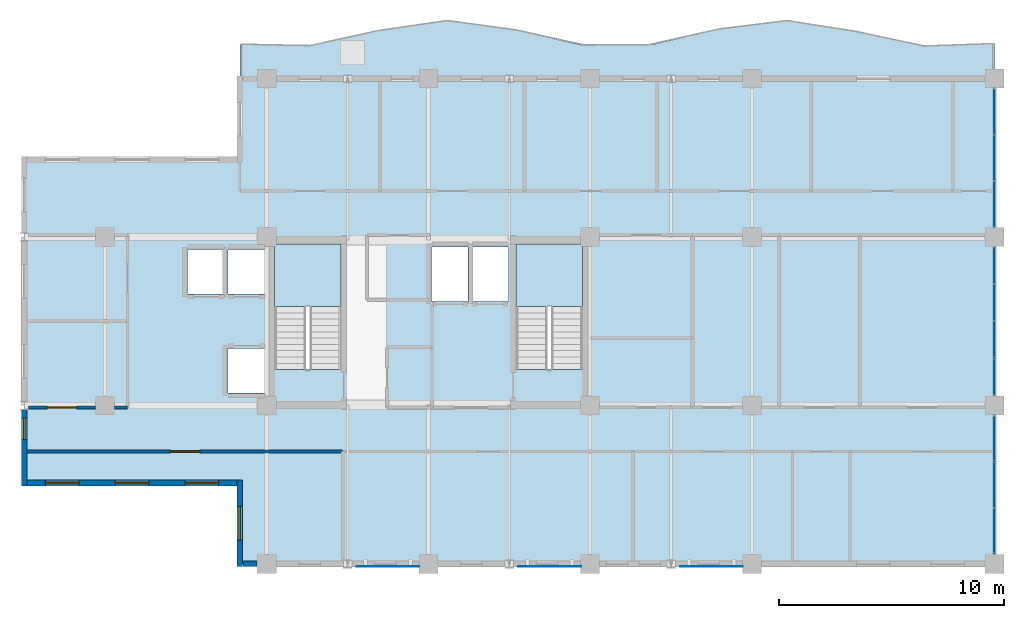
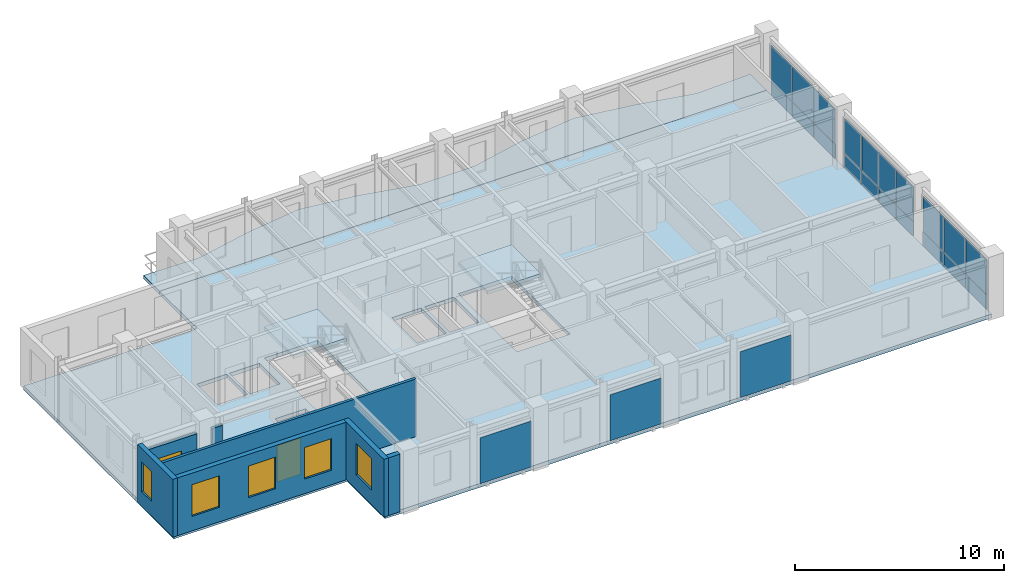
# One storey, part 5 of 10: 23 plates, 7 walls, 5 windows, 4 slabs, 2 doors, 7 openings, 5 elements without a shape of their own.
"""IFC4 building model written with IfcOpenShell, lengths in metres."""

from ifc_helpers import new_model, si_unit, direction, frame, frame_2d, origin, origin_2d, place, context, subcontext, project, spatial, polyline, rectangle, outline, extrude, source, transform, mapped, material, layer, layer_set, type_object, element, fill, aggregate, save


model = new_model("IFC4")

# Units and contexts
model_context = context("Model", 3, precision=1e-05, world=origin(), true_north=direction((0.0, 1.0)))
body_context = subcontext(model_context, "Body", "Model", "MODEL_VIEW")
ifc_project = project(units=[si_unit("LENGTHUNIT", "METRE"), si_unit("AREAUNIT", "SQUARE_METRE"), si_unit("VOLUMEUNIT", "CUBIC_METRE"), si_unit("PLANEANGLEUNIT", "RADIAN"), si_unit("MASSUNIT", "GRAM", prefix="KILO")], contexts=[model_context])

# Site, building, storey
site_placement = place(None, origin())
site = spatial("IfcSite", under=ifc_project, at=site_placement, CompositionType="ELEMENT")
building_placement = place(site_placement, origin())
building = spatial("IfcBuilding", under=site, at=building_placement, Name="Kaliganga Portal Commons", CompositionType="ELEMENT")
storey_placement = place(building_placement, frame((0.0, 0.0, 294.300048828125)))
storey = spatial("IfcBuildingStorey", under=building, at=storey_placement, Name="L76", CompositionType="ELEMENT", Elevation=294.300048828125)

# Slab
ifc_material_1 = material(Name="Concrete C40/50", Category="concrete")
ifc_layer_1 = layer(ifc_material_1, 0.2099609375)
ifc_layer_set_1 = layer_set([ifc_layer_1], Name="Concrete C40/50")
slab_type_1 = type_object("IfcSlabType", Name="SLB-BALC-210", PredefinedType="FLOOR", material=ifc_layer_set_1)
slab_1_placement = place(storey_placement, frame((0.0, 0.0, -0.2099609375)))
element("IfcSlab", 1, at=slab_1_placement, inside=storey, type_object=slab_type_1, Name="Scalloped Tree-Planter Balcony Slab L76 balc_north", PredefinedType="FLOOR", context=body_context, shape_type="SweptSolid", body=[
    extrude(outline(polyline([(46.800048828125, 43.199951171875), (46.800048828125, 44.760498046875), (43.74560546875, 44.65478515625), (40.69091796875, 45.313720703125), (37.636474609375, 45.797607421875), (34.581787109375, 45.416748046875), (31.52734375, 44.714111328125), (28.47265625, 44.69140625), (25.418212890625, 45.380859375), (22.363525390625, 45.7998046875), (19.30908203125, 45.350830078125), (16.25439453125, 44.674072265625), (13.199951171875, 44.734130859375), (13.199951171875, 43.199951171875), (46.800048828125, 43.199951171875)])), origin(), (0.0, 0.0, 1.0), 0.2099609375),
])

# Stair, slab
stair_type = type_object("IfcStairType", Name="ST-CORE-DOGLEG", PredefinedType="HALF_TURN_STAIR", material=ifc_material_1)
stair_1_placement = place(storey_placement, origin())
stair_1 = element("IfcStair", 2, at=stair_1_placement, inside=storey, type_object=stair_type, Name="L76 Protected Exit Stair ST-A1", PredefinedType="HALF_TURN_STAIR")
ifc_layer_2 = layer(ifc_material_1, 0.199951171875)
ifc_layer_set_2 = layer_set([ifc_layer_2], Name="Concrete C40/50")
slab_type_2 = type_object("IfcSlabType", Name="SLB-STAIR-LND", PredefinedType="LANDING", material=ifc_layer_set_2)
slab_2_placement = place(storey_placement, frame((0.0, 0.0, 1.64990234375)))
slab_2 = element("IfcSlab", 3, at=slab_2_placement, type_object=slab_type_2, Name="ST-A1 landing 1", PredefinedType="LANDING", context=body_context, shape_type="SweptSolid", body=[
    extrude(outline(polyline([(17.699951171875, 33.050048828125), (17.699951171875, 35.85009765625), (14.75, 35.85009765625), (14.75, 33.050048828125), (17.699951171875, 33.050048828125)])), origin(), (0.0, 0.0, 1.0), 0.199951171875),
])
aggregate(stair_1, [slab_2])

stair_2_placement = place(storey_placement, origin())
stair_2 = element("IfcStair", 4, at=stair_2_placement, inside=storey, type_object=stair_type, Name="L76 Protected Exit Stair ST-A2", PredefinedType="HALF_TURN_STAIR")
slab_3_placement = place(storey_placement, frame((0.0, 0.0, 1.64990234375)))
slab_3 = element("IfcSlab", 5, at=slab_3_placement, type_object=slab_type_2, Name="ST-A2 landing 1", PredefinedType="LANDING", context=body_context, shape_type="SweptSolid", body=[
    extrude(outline(polyline([(28.449951171875, 33.050048828125), (28.449951171875, 35.85009765625), (25.5, 35.85009765625), (25.5, 33.050048828125), (28.449951171875, 33.050048828125)])), origin(), (0.0, 0.0, 1.0), 0.199951171875),
])
aggregate(stair_2, [slab_3])

# Slab
ifc_layer_3 = layer(ifc_material_1, 0.22509765625)
ifc_layer_set_3 = layer_set([ifc_layer_3], Name="Concrete C40/50")
slab_type_3 = type_object("IfcSlabType", Name="SLB-TWR-220", PredefinedType="FLOOR", material=ifc_layer_set_3)
slab_4_placement = place(storey_placement, frame((0.0, 0.0, -0.22509765625)))
element("IfcSlab", 6, at=slab_4_placement, inside=storey, type_object=slab_type_3, Name="Structural Floor Slab L76", PredefinedType="FLOOR", context=body_context, shape_type="SweptSolid", body=[
    extrude(outline(polyline([(13.199951171875, 21.60009765625), (46.800048828125, 21.60009765625), (46.800048828125, 43.199951171875), (13.199951171875, 43.199951171875), (13.199951171875, 39.60009765625), (3.60009765625, 39.60009765625), (3.60009765625, 25.199951171875), (13.199951171875, 25.199951171875), (13.199951171875, 21.60009765625)]), holes=[polyline([(14.75, 30.25390625), (14.75, 35.85009765625), (17.699951171875, 35.85009765625), (17.699951171875, 30.25390625), (14.75, 30.25390625)]), polyline([(25.5, 30.25390625), (25.5, 35.85009765625), (28.449951171875, 35.85009765625), (28.449951171875, 30.25390625), (25.5, 30.25390625)]), polyline([(12.6650390625, 33.614990234375), (12.6650390625, 35.5849609375), (14.3349609375, 35.5849609375), (14.3349609375, 33.614990234375), (12.6650390625, 33.614990234375)]), polyline([(12.6650390625, 29.215087890625), (12.6650390625, 31.18505859375), (14.3349609375, 31.18505859375), (14.3349609375, 29.215087890625), (12.6650390625, 29.215087890625)]), polyline([(10.864990234375, 33.614990234375), (10.864990234375, 35.5849609375), (12.534912109375, 35.5849609375), (12.534912109375, 33.614990234375), (10.864990234375, 33.614990234375)]), polyline([(21.739990234375, 33.2900390625), (21.739990234375, 35.7099609375), (23.360107421875, 35.7099609375), (23.360107421875, 33.2900390625), (21.739990234375, 33.2900390625)]), polyline([(23.5400390625, 33.2900390625), (23.5400390625, 35.7099609375), (25.159912109375, 35.7099609375), (25.159912109375, 33.2900390625), (23.5400390625, 33.2900390625)])]), origin(), (0.0, 0.0, 1.0), 0.22509765625),
])

# Plates
ifc_material_2 = material(Name="Perforated Bronze-Anodized Aluminium Solar Screen", Category="aluminium")
ifc_layer_4 = layer(ifc_material_2, 0.01806640625)
ifc_layer_set_4 = layer_set([ifc_layer_4], Name="Perforated Bronze-Anodized Aluminium Solar Screen")
plate_type_1 = type_object("IfcPlateType", Name="PLT-SCR-18", PredefinedType="USERDEFINED", material=ifc_layer_set_4)
shared_shape_1 = source(origin(), body_context, "Body", "SweptSolid", [
    extrude(rectangle(XDim=2.800048828125, YDim=0.01806640625, at=origin_2d()), origin(), (0.0, 0.0, 1.0), 2.68994140625),
])
for number, where, z_axis, x_axis, name in (
    (7, (19.800048828125, 21.47998046875, 0.080078125), (0.0, 0.0, 1.0), (1.0, 0.0, 0.0), "Perforated Solar Screen L76-S1"),
    (8, (27.0, 21.47998046875, 0.080078125), (0.0, 0.0, 1.0), (1.0, 0.0, 0.0), "Perforated Solar Screen L76-S2"),
    (9, (34.199951171875, 21.47998046875, 0.080078125), (0.0, 0.0, 1.0), (1.0, 0.0, 0.0), "Perforated Solar Screen L76-S3"),
):
    element("IfcPlate", number, at=place(storey_placement, frame(where, z_axis=z_axis, x_axis=x_axis)), inside=storey, type_object=plate_type_1, Name=name, ObjectType="SOLAR SCREEN", PredefinedType="USERDEFINED", context=body_context, shape_type="MappedRepresentation", body=[
        mapped(shared_shape_1, transform((0.0, 0.0, 0.0), x_axis=(1.0, 0.0, 0.0), y_axis=(0.0, 1.0, 0.0), z_axis=(0.0, 0.0, 1.0), scale=1.0)),
    ])

# Curtain wall, plates
ifc_material_3 = material(Name="Anodized Aluminium and Laminated Low-E Glass", Category="aluminium")
ifc_layer_5 = layer(ifc_material_3, 0.18994140625)
ifc_layer_set_5 = layer_set([ifc_layer_5], Name="Anodized Aluminium and Laminated Low-E Glass")
curtain_wall_type = type_object("IfcCurtainWallType", Name="CW-SYS-05", PredefinedType="NOTDEFINED", material=ifc_layer_set_5)
curtain_wall_1_placement = place(storey_placement, origin())
curtain_wall_1 = element("IfcCurtainWall", 10, at=curtain_wall_1_placement, inside=storey, type_object=curtain_wall_type, Name="CW 05 L76 P1E01S1", PredefinedType="NOTDEFINED")
ifc_material_4 = material(Name="Insulated Dark Spandrel Panel", Category="metal")
ifc_layer_6 = layer(ifc_material_4, 0.044921875)
ifc_layer_set_6 = layer_set([ifc_layer_6], Name="Insulated Dark Spandrel Panel")
plate_type_2 = type_object("IfcPlateType", Name="PLT-SPN-45", PredefinedType="SHEET", material=ifc_layer_set_6)
shared_shape_2 = source(origin(), body_context, "Body", "SweptSolid", [
    extrude(rectangle(XDim=2.02587890625, YDim=0.044921875, at=origin_2d()), origin(), (0.0, 0.0, 1.0), 0.820068359375),
])
plate_1_placement = place(storey_placement, frame((46.800048828125, 23.05908203125, 0.009765625), z_axis=(0.0, 0.0, 1.0), x_axis=(0.0, 1.0, 0.0)))
plate_1 = element("IfcPlate", 11, at=plate_1_placement, type_object=plate_type_2, Name="CW:05:L76:P1E01S1 Spandrel 00", PredefinedType="SHEET", context=body_context, shape_type="MappedRepresentation", body=[
    mapped(shared_shape_2, transform((0.0, 0.0, 0.0), x_axis=(1.0, 0.0, 0.0), y_axis=(0.0, 1.0, 0.0), z_axis=(0.0, 0.0, 1.0), scale=1.0)),
])
plate_2_placement = place(storey_placement, frame((46.800048828125, 25.125, 0.009765625), z_axis=(0.0, 0.0, 1.0), x_axis=(0.0, 1.0, 0.0)))
plate_2 = element("IfcPlate", 12, at=plate_2_placement, type_object=plate_type_2, Name="CW:05:L76:P1E01S1 Spandrel 01", PredefinedType="SHEET", context=body_context, shape_type="MappedRepresentation", body=[
    mapped(shared_shape_2, transform((0.0, 0.0, 0.0), x_axis=(1.0, 0.0, 0.0), y_axis=(0.0, 1.0, 0.0), z_axis=(0.0, 0.0, 1.0), scale=1.0)),
])
plate_3_placement = place(storey_placement, frame((46.800048828125, 27.19091796875, 0.009765625), z_axis=(0.0, 0.0, 1.0), x_axis=(0.0, 1.0, 0.0)))
plate_3 = element("IfcPlate", 13, at=plate_3_placement, type_object=plate_type_2, Name="CW:05:L76:P1E01S1 Spandrel 02", PredefinedType="SHEET", context=body_context, shape_type="MappedRepresentation", body=[
    mapped(shared_shape_2, transform((0.0, 0.0, 0.0), x_axis=(1.0, 0.0, 0.0), y_axis=(0.0, 1.0, 0.0), z_axis=(0.0, 0.0, 1.0), scale=1.0)),
])

curtain_wall_2_placement = place(storey_placement, origin())
curtain_wall_2 = element("IfcCurtainWall", 14, at=curtain_wall_2_placement, inside=storey, type_object=curtain_wall_type, Name="CW 05 L76 P1E01S3", PredefinedType="NOTDEFINED")
plate_4_placement = place(storey_placement, frame((46.800048828125, 37.60888671875, 0.009765625), z_axis=(0.0, 0.0, 1.0), x_axis=(0.0, 1.0, 0.0)))
plate_4 = element("IfcPlate", 15, at=plate_4_placement, type_object=plate_type_2, Name="CW:05:L76:P1E01S3 Spandrel 00", PredefinedType="SHEET", context=body_context, shape_type="MappedRepresentation", body=[
    mapped(shared_shape_2, transform((0.0, 0.0, 0.0), x_axis=(1.0, 0.0, 0.0), y_axis=(0.0, 1.0, 0.0), z_axis=(0.0, 0.0, 1.0), scale=1.0)),
])
plate_5_placement = place(storey_placement, frame((46.800048828125, 39.675048828125, 0.009765625), z_axis=(0.0, 0.0, 1.0), x_axis=(0.0, 1.0, 0.0)))
plate_5 = element("IfcPlate", 16, at=plate_5_placement, type_object=plate_type_2, Name="CW:05:L76:P1E01S3 Spandrel 01", PredefinedType="SHEET", context=body_context, shape_type="MappedRepresentation", body=[
    mapped(shared_shape_2, transform((0.0, 0.0, 0.0), x_axis=(1.0, 0.0, 0.0), y_axis=(0.0, 1.0, 0.0), z_axis=(0.0, 0.0, 1.0), scale=1.0)),
])
plate_6_placement = place(storey_placement, frame((46.800048828125, 41.740966796875, 0.009765625), z_axis=(0.0, 0.0, 1.0), x_axis=(0.0, 1.0, 0.0)))
plate_6 = element("IfcPlate", 17, at=plate_6_placement, type_object=plate_type_2, Name="CW:05:L76:P1E01S3 Spandrel 02", PredefinedType="SHEET", context=body_context, shape_type="MappedRepresentation", body=[
    mapped(shared_shape_2, transform((0.0, 0.0, 0.0), x_axis=(1.0, 0.0, 0.0), y_axis=(0.0, 1.0, 0.0), z_axis=(0.0, 0.0, 1.0), scale=1.0)),
])

# Plate
ifc_material_5 = material(Name="Dark Solar-Control Laminated Low-E IGU", Category="glass")
ifc_layer_7 = layer(ifc_material_5, 0.028076171875)
ifc_layer_set_7 = layer_set([ifc_layer_7], Name="Dark Solar-Control Laminated Low-E IGU")
plate_type_3 = type_object("IfcPlateType", Name="PLT-GLZ-28", PredefinedType="CURTAIN_PANEL", material=ifc_layer_set_7)
shared_shape_3 = source(origin(), body_context, "Body", "SweptSolid", [
    extrude(rectangle(XDim=2.02587890625, YDim=0.028076171875, at=origin_2d()), origin(), (0.0, 0.0, 1.0), 2.06005859375),
])
plate_7_placement = place(storey_placement, frame((46.800048828125, 23.05908203125, 0.849853515625), z_axis=(0.0, 0.0, 1.0), x_axis=(0.0, 1.0, 0.0)))
plate_7 = element("IfcPlate", 18, at=plate_7_placement, type_object=plate_type_3, Name="CW:05:L76:P1E01S1 Vision IGU 00", PredefinedType="CURTAIN_PANEL", context=body_context, shape_type="MappedRepresentation", body=[
    mapped(shared_shape_3, transform((0.0, 0.0, 0.0), x_axis=(1.0, 0.0, 0.0), y_axis=(0.0, 1.0, 0.0), z_axis=(0.0, 0.0, 1.0), scale=1.0)),
])

plate_8_placement = place(storey_placement, frame((46.800048828125, 25.125, 0.849853515625), z_axis=(0.0, 0.0, 1.0), x_axis=(0.0, 1.0, 0.0)))
plate_8 = element("IfcPlate", 19, at=plate_8_placement, type_object=plate_type_3, Name="CW:05:L76:P1E01S1 Vision IGU 01", PredefinedType="CURTAIN_PANEL", context=body_context, shape_type="MappedRepresentation", body=[
    mapped(shared_shape_3, transform((0.0, 0.0, 0.0), x_axis=(1.0, 0.0, 0.0), y_axis=(0.0, 1.0, 0.0), z_axis=(0.0, 0.0, 1.0), scale=1.0)),
])

plate_9_placement = place(storey_placement, frame((46.800048828125, 27.19091796875, 0.849853515625), z_axis=(0.0, 0.0, 1.0), x_axis=(0.0, 1.0, 0.0)))
plate_9 = element("IfcPlate", 20, at=plate_9_placement, type_object=plate_type_3, Name="CW:05:L76:P1E01S1 Vision IGU 02", PredefinedType="CURTAIN_PANEL", context=body_context, shape_type="MappedRepresentation", body=[
    mapped(shared_shape_3, transform((0.0, 0.0, 0.0), x_axis=(1.0, 0.0, 0.0), y_axis=(0.0, 1.0, 0.0), z_axis=(0.0, 0.0, 1.0), scale=1.0)),
])

aggregate(curtain_wall_1, [plate_1, plate_7, plate_2, plate_8, plate_3, plate_9])

plate_10_placement = place(storey_placement, frame((46.800048828125, 37.60888671875, 0.849853515625), z_axis=(0.0, 0.0, 1.0), x_axis=(0.0, 1.0, 0.0)))
plate_10 = element("IfcPlate", 21, at=plate_10_placement, type_object=plate_type_3, Name="CW:05:L76:P1E01S3 Vision IGU 00", PredefinedType="CURTAIN_PANEL", context=body_context, shape_type="MappedRepresentation", body=[
    mapped(shared_shape_3, transform((0.0, 0.0, 0.0), x_axis=(1.0, 0.0, 0.0), y_axis=(0.0, 1.0, 0.0), z_axis=(0.0, 0.0, 1.0), scale=1.0)),
])

plate_11_placement = place(storey_placement, frame((46.800048828125, 39.675048828125, 0.849853515625), z_axis=(0.0, 0.0, 1.0), x_axis=(0.0, 1.0, 0.0)))
plate_11 = element("IfcPlate", 22, at=plate_11_placement, type_object=plate_type_3, Name="CW:05:L76:P1E01S3 Vision IGU 01", PredefinedType="CURTAIN_PANEL", context=body_context, shape_type="MappedRepresentation", body=[
    mapped(shared_shape_3, transform((0.0, 0.0, 0.0), x_axis=(1.0, 0.0, 0.0), y_axis=(0.0, 1.0, 0.0), z_axis=(0.0, 0.0, 1.0), scale=1.0)),
])

plate_12_placement = place(storey_placement, frame((46.800048828125, 41.740966796875, 0.849853515625), z_axis=(0.0, 0.0, 1.0), x_axis=(0.0, 1.0, 0.0)))
plate_12 = element("IfcPlate", 23, at=plate_12_placement, type_object=plate_type_3, Name="CW:05:L76:P1E01S3 Vision IGU 02", PredefinedType="CURTAIN_PANEL", context=body_context, shape_type="MappedRepresentation", body=[
    mapped(shared_shape_3, transform((0.0, 0.0, 0.0), x_axis=(1.0, 0.0, 0.0), y_axis=(0.0, 1.0, 0.0), z_axis=(0.0, 0.0, 1.0), scale=1.0)),
])

aggregate(curtain_wall_2, [plate_4, plate_10, plate_5, plate_11, plate_6, plate_12])

# Curtain wall, plates
curtain_wall_3_placement = place(storey_placement, origin())
curtain_wall_3 = element("IfcCurtainWall", 24, at=curtain_wall_3_placement, inside=storey, type_object=curtain_wall_type, Name="CW 05 L76 P1E01S2", PredefinedType="NOTDEFINED")
shared_shape_4 = source(origin(), body_context, "Body", "SweptSolid", [
    extrude(rectangle(XDim=1.6220703125, YDim=0.044921875, at=origin_2d()), origin(), (0.0, 0.0, 1.0), 0.820068359375),
])
plate_13_placement = place(storey_placement, frame((46.800048828125, 29.906982421875, 0.009765625), z_axis=(0.0, 0.0, 1.0), x_axis=(0.0, 1.0, 0.0)))
plate_13 = element("IfcPlate", 25, at=plate_13_placement, type_object=plate_type_2, Name="CW:05:L76:P1E01S2 Spandrel 00", PredefinedType="SHEET", context=body_context, shape_type="MappedRepresentation", body=[
    mapped(shared_shape_4, transform((0.0, 0.0, 0.0), x_axis=(1.0, 0.0, 0.0), y_axis=(0.0, 1.0, 0.0), z_axis=(0.0, 0.0, 1.0), scale=1.0)),
])
plate_14_placement = place(storey_placement, frame((46.800048828125, 31.569091796875, 0.009765625), z_axis=(0.0, 0.0, 1.0), x_axis=(0.0, 1.0, 0.0)))
plate_14 = element("IfcPlate", 26, at=plate_14_placement, type_object=plate_type_2, Name="CW:05:L76:P1E01S2 Spandrel 01", PredefinedType="SHEET", context=body_context, shape_type="MappedRepresentation", body=[
    mapped(shared_shape_4, transform((0.0, 0.0, 0.0), x_axis=(1.0, 0.0, 0.0), y_axis=(0.0, 1.0, 0.0), z_axis=(0.0, 0.0, 1.0), scale=1.0)),
])
plate_15_placement = place(storey_placement, frame((46.800048828125, 33.23095703125, 0.009765625), z_axis=(0.0, 0.0, 1.0), x_axis=(0.0, 1.0, 0.0)))
plate_15 = element("IfcPlate", 27, at=plate_15_placement, type_object=plate_type_2, Name="CW:05:L76:P1E01S2 Spandrel 02", PredefinedType="SHEET", context=body_context, shape_type="MappedRepresentation", body=[
    mapped(shared_shape_4, transform((0.0, 0.0, 0.0), x_axis=(1.0, 0.0, 0.0), y_axis=(0.0, 1.0, 0.0), z_axis=(0.0, 0.0, 1.0), scale=1.0)),
])
plate_16_placement = place(storey_placement, frame((46.800048828125, 34.89306640625, 0.009765625), z_axis=(0.0, 0.0, 1.0), x_axis=(0.0, 1.0, 0.0)))
plate_16 = element("IfcPlate", 28, at=plate_16_placement, type_object=plate_type_2, Name="CW:05:L76:P1E01S2 Spandrel 03", PredefinedType="SHEET", context=body_context, shape_type="MappedRepresentation", body=[
    mapped(shared_shape_4, transform((0.0, 0.0, 0.0), x_axis=(1.0, 0.0, 0.0), y_axis=(0.0, 1.0, 0.0), z_axis=(0.0, 0.0, 1.0), scale=1.0)),
])
shared_shape_5 = source(origin(), body_context, "Body", "SweptSolid", [
    extrude(rectangle(XDim=1.6220703125, YDim=0.028076171875, at=origin_2d()), origin(), (0.0, 0.0, 1.0), 2.06005859375),
])
plate_17_placement = place(storey_placement, frame((46.800048828125, 29.906982421875, 0.849853515625), z_axis=(0.0, 0.0, 1.0), x_axis=(0.0, 1.0, 0.0)))
plate_17 = element("IfcPlate", 29, at=plate_17_placement, type_object=plate_type_3, Name="CW:05:L76:P1E01S2 Vision IGU 00", PredefinedType="CURTAIN_PANEL", context=body_context, shape_type="MappedRepresentation", body=[
    mapped(shared_shape_5, transform((0.0, 0.0, 0.0), x_axis=(1.0, 0.0, 0.0), y_axis=(0.0, 1.0, 0.0), z_axis=(0.0, 0.0, 1.0), scale=1.0)),
])
plate_18_placement = place(storey_placement, frame((46.800048828125, 31.569091796875, 0.849853515625), z_axis=(0.0, 0.0, 1.0), x_axis=(0.0, 1.0, 0.0)))
plate_18 = element("IfcPlate", 30, at=plate_18_placement, type_object=plate_type_3, Name="CW:05:L76:P1E01S2 Vision IGU 01", PredefinedType="CURTAIN_PANEL", context=body_context, shape_type="MappedRepresentation", body=[
    mapped(shared_shape_5, transform((0.0, 0.0, 0.0), x_axis=(1.0, 0.0, 0.0), y_axis=(0.0, 1.0, 0.0), z_axis=(0.0, 0.0, 1.0), scale=1.0)),
])
plate_19_placement = place(storey_placement, frame((46.800048828125, 33.23095703125, 0.849853515625), z_axis=(0.0, 0.0, 1.0), x_axis=(0.0, 1.0, 0.0)))
plate_19 = element("IfcPlate", 31, at=plate_19_placement, type_object=plate_type_3, Name="CW:05:L76:P1E01S2 Vision IGU 02", PredefinedType="CURTAIN_PANEL", context=body_context, shape_type="MappedRepresentation", body=[
    mapped(shared_shape_5, transform((0.0, 0.0, 0.0), x_axis=(1.0, 0.0, 0.0), y_axis=(0.0, 1.0, 0.0), z_axis=(0.0, 0.0, 1.0), scale=1.0)),
])
plate_20_placement = place(storey_placement, frame((46.800048828125, 34.89306640625, 0.849853515625), z_axis=(0.0, 0.0, 1.0), x_axis=(0.0, 1.0, 0.0)))
plate_20 = element("IfcPlate", 32, at=plate_20_placement, type_object=plate_type_3, Name="CW:05:L76:P1E01S2 Vision IGU 03", PredefinedType="CURTAIN_PANEL", context=body_context, shape_type="MappedRepresentation", body=[
    mapped(shared_shape_5, transform((0.0, 0.0, 0.0), x_axis=(1.0, 0.0, 0.0), y_axis=(0.0, 1.0, 0.0), z_axis=(0.0, 0.0, 1.0), scale=1.0)),
])
aggregate(curtain_wall_3, [plate_13, plate_17, plate_14, plate_18, plate_15, plate_19, plate_16, plate_20])

# Wall
ifc_material_6 = material(Name="Insulated Aluminium-Clad Spandrel Assembly", Category="aluminium")
ifc_layer_8 = layer(ifc_material_6, 0.260009765625)
ifc_layer_set_8 = layer_set([ifc_layer_8], Name="Insulated Aluminium-Clad Spandrel Assembly")
wall_type_1 = type_object("IfcWallType", Name="WL-EXT-SPAND-260", PredefinedType="STANDARD", material=ifc_layer_set_8)
wall_1_placement = place(storey_placement, frame((13.97412109375, 21.60009765625, 0.0), z_axis=(0.0, 0.0, 1.0), x_axis=(-1.0, 0.0, 0.0)))
element("IfcWall", 33, at=wall_1_placement, inside=storey, type_object=wall_type_1, Name="Exterior Envelope Wall L76 P1-E00-S1", PredefinedType="STANDARD", context=body_context, shape_type="SweptSolid", body=[
    extrude(rectangle(XDim=0.63916015625, YDim=0.260009765625, at=frame_2d((0.319580078125, 0.0))), origin(), (0.0, 0.0, 1.0), 3.3798828125),
])

# Wall, opening, window
wall_2_placement = place(storey_placement, frame((3.60009765625, 25.070068359375, 0.0), z_axis=(0.0, 0.0, 1.0), x_axis=(0.0, 1.0, 0.0)))
wall_2 = element("IfcWall", 34, at=wall_2_placement, inside=storey, type_object=wall_type_1, Name="Exterior Envelope Wall L76 P1-E05-S3", PredefinedType="STANDARD", context=body_context, shape_type="SweptSolid", body=[
    extrude(rectangle(XDim=3.392822265625, YDim=0.260009765625, at=frame_2d((1.6962890625, 0.0))), origin(), (0.0, 0.0, 1.0), 3.3798828125),
])
opening_1_placement = place(wall_2_placement, frame((2.06298828125, 0.0, 0.85009765625)))
opening_1 = element("IfcOpeningElement", 35, at=opening_1_placement, cuts=wall_2, Name="Opening W-04", PredefinedType="OPENING", context=body_context, shape_type="SweptSolid", body=[
    extrude(rectangle(XDim=0.949951171875, YDim=1.75, at=frame_2d((0.47509765625, 0.875))), frame((0.0, 0.14013671875, 0.0), z_axis=(0.0, -1.0, 0.0), x_axis=(1.0, 0.0, 0.0)), (0.0, 0.0, 1.0), 0.280029296875),
])
ifc_material_7 = material(Name="Thermally Broken Aluminium and Low-E Double Glazing", Category="aluminium")
window_type_1 = type_object("IfcWindowType", Name="WIN-NARROW-950", PartitioningType="SINGLE_PANEL", PredefinedType="WINDOW", material=ifc_material_7)
window_1_placement = place(opening_1_placement, origin())
window_1 = element("IfcWindow", 36, at=window_1_placement, inside=storey, type_object=window_type_1, Name="Facade Window L76-P1E05S3-N2", OverallHeight=1.75, OverallWidth=0.949951171875, PartitioningType="SINGLE_PANEL", PredefinedType="WINDOW", context=body_context, shape_type="SweptSolid", body=[
    extrude(rectangle(XDim=0.949951171875, YDim=1.75, at=frame_2d((0.47509765625, 0.875))), frame((0.0, 0.030029296875, 0.0), z_axis=(0.0, -1.0, 0.0), x_axis=(1.0, 0.0, 0.0)), (0.0, 0.0, 1.0), 0.06005859375),
])
fill(opening_1, window_1)

# Wall, openings, windows
wall_3_placement = place(storey_placement, frame((13.06494140625, 25.199951171875, 0.0), z_axis=(0.0, 0.0, 1.0), x_axis=(-1.0, 0.0, 0.0)))
wall_3 = element("IfcWall", 37, at=wall_3_placement, inside=storey, type_object=wall_type_1, Name="Exterior Envelope Wall L76 P1-E06-S1", PredefinedType="STANDARD", context=body_context, shape_type="SweptSolid", body=[
    extrude(rectangle(XDim=9.329833984375, YDim=0.260009765625, at=frame_2d((4.6650390625, 0.0))), origin(), (0.0, 0.0, 1.0), 3.3798828125),
])
opening_2_placement = place(wall_3_placement, frame((0.804931640625, 0.0, 0.85009765625)))
opening_2 = element("IfcOpeningElement", 38, at=opening_2_placement, cuts=wall_3, Name="Opening W-02", PredefinedType="OPENING", context=body_context, shape_type="SweptSolid", body=[
    extrude(rectangle(XDim=1.5, YDim=1.85009765625, at=frame_2d((0.75, 0.925048828125))), frame((0.0, 0.14013671875, 0.0), z_axis=(0.0, -1.0, 0.0), x_axis=(1.0, 0.0, 0.0)), (0.0, 0.0, 1.0), 0.280029296875),
])
opening_3_placement = place(wall_3_placement, frame((3.9150390625, 0.0, 0.85009765625)))
opening_3 = element("IfcOpeningElement", 39, at=opening_3_placement, cuts=wall_3, Name="Opening W-02", PredefinedType="OPENING", context=body_context, shape_type="SweptSolid", body=[
    extrude(rectangle(XDim=1.5, YDim=1.85009765625, at=frame_2d((0.75, 0.925048828125))), frame((0.0, 0.14013671875, 0.0), z_axis=(0.0, -1.0, 0.0), x_axis=(1.0, 0.0, 0.0)), (0.0, 0.0, 1.0), 0.280029296875),
])
opening_4_placement = place(wall_3_placement, frame((7.02490234375, 0.0, 0.85009765625)))
opening_4 = element("IfcOpeningElement", 40, at=opening_4_placement, cuts=wall_3, Name="Opening W-02", PredefinedType="OPENING", context=body_context, shape_type="SweptSolid", body=[
    extrude(rectangle(XDim=1.5, YDim=1.85009765625, at=frame_2d((0.75, 0.925048828125))), frame((0.0, 0.14013671875, 0.0), z_axis=(0.0, -1.0, 0.0), x_axis=(1.0, 0.0, 0.0)), (0.0, 0.0, 1.0), 0.280029296875),
])
window_type_2 = type_object("IfcWindowType", Name="WIN-STD-1500", PartitioningType="DOUBLE_PANEL_VERTICAL", PredefinedType="WINDOW", material=ifc_material_7)
window_2_placement = place(opening_2_placement, origin())
window_2 = element("IfcWindow", 41, at=window_2_placement, inside=storey, type_object=window_type_2, Name="Facade Window L76-P1E06S1-00", OverallHeight=1.85009765625, OverallWidth=1.5, PartitioningType="SINGLE_PANEL", PredefinedType="WINDOW", context=body_context, shape_type="SweptSolid", body=[
    extrude(rectangle(XDim=1.5, YDim=1.85009765625, at=frame_2d((0.75, 0.925048828125))), frame((0.0, 0.030029296875, 0.0), z_axis=(0.0, -1.0, 0.0), x_axis=(1.0, 0.0, 0.0)), (0.0, 0.0, 1.0), 0.06005859375),
])
fill(opening_2, window_2)
window_3_placement = place(opening_3_placement, origin())
window_3 = element("IfcWindow", 42, at=window_3_placement, inside=storey, type_object=window_type_2, Name="Facade Window L76-P1E06S1-01", OverallHeight=1.85009765625, OverallWidth=1.5, PartitioningType="SINGLE_PANEL", PredefinedType="WINDOW", context=body_context, shape_type="SweptSolid", body=[
    extrude(rectangle(XDim=1.5, YDim=1.85009765625, at=frame_2d((0.75, 0.925048828125))), frame((0.0, 0.030029296875, 0.0), z_axis=(0.0, -1.0, 0.0), x_axis=(1.0, 0.0, 0.0)), (0.0, 0.0, 1.0), 0.06005859375),
])
fill(opening_3, window_3)
window_4_placement = place(opening_4_placement, origin())
window_4 = element("IfcWindow", 43, at=window_4_placement, inside=storey, type_object=window_type_2, Name="Facade Window L76-P1E06S1-02", OverallHeight=1.85009765625, OverallWidth=1.5, PartitioningType="SINGLE_PANEL", PredefinedType="WINDOW", context=body_context, shape_type="SweptSolid", body=[
    extrude(rectangle(XDim=1.5, YDim=1.85009765625, at=frame_2d((0.75, 0.925048828125))), frame((0.0, 0.030029296875, 0.0), z_axis=(0.0, -1.0, 0.0), x_axis=(1.0, 0.0, 0.0)), (0.0, 0.0, 1.0), 0.06005859375),
])
fill(opening_4, window_4)

# Wall, opening, window
wall_4_placement = place(storey_placement, frame((13.199951171875, 21.469970703125, 0.0), z_axis=(0.0, 0.0, 1.0), x_axis=(0.0, 1.0, 0.0)))
wall_4 = element("IfcWall", 44, at=wall_4_placement, inside=storey, type_object=wall_type_1, Name="Exterior Envelope Wall L76 P1-E07-S1", PredefinedType="STANDARD", context=body_context, shape_type="SweptSolid", body=[
    extrude(rectangle(XDim=3.860107421875, YDim=0.260009765625, at=frame_2d((1.93017578125, 0.0))), origin(), (0.0, 0.0, 1.0), 3.3798828125),
])
opening_5_placement = place(wall_4_placement, frame((1.179931640625, 0.0, 0.85009765625)))
opening_5 = element("IfcOpeningElement", 45, at=opening_5_placement, cuts=wall_4, Name="Opening W-02", PredefinedType="OPENING", context=body_context, shape_type="SweptSolid", body=[
    extrude(rectangle(XDim=1.5, YDim=1.85009765625, at=frame_2d((0.75, 0.925048828125))), frame((0.0, 0.14013671875, 0.0), z_axis=(0.0, -1.0, 0.0), x_axis=(1.0, 0.0, 0.0)), (0.0, 0.0, 1.0), 0.280029296875),
])
window_5_placement = place(opening_5_placement, origin())
window_5 = element("IfcWindow", 46, at=window_5_placement, inside=storey, type_object=window_type_2, Name="Facade Window L76-P1E07S1-00", OverallHeight=1.85009765625, OverallWidth=1.5, PartitioningType="SINGLE_PANEL", PredefinedType="WINDOW", context=body_context, shape_type="SweptSolid", body=[
    extrude(rectangle(XDim=1.5, YDim=1.85009765625, at=frame_2d((0.75, 0.925048828125))), frame((0.0, 0.030029296875, 0.0), z_axis=(0.0, -1.0, 0.0), x_axis=(1.0, 0.0, 0.0)), (0.0, 0.0, 1.0), 0.06005859375),
])
fill(opening_5, window_5)

# Wall, opening, door
ifc_material_8 = material(Name="Fire-Rated Gypsum Board on Steel Stud", Category="steel")
ifc_layer_9 = layer(ifc_material_8, 0.14990234375)
ifc_layer_set_9 = layer_set([ifc_layer_9], Name="Fire-Rated Gypsum Board on Steel Stud")
wall_type_2 = type_object("IfcWallType", Name="WL-PART-CORR-150", PredefinedType="PARTITIONING", material=ifc_layer_set_9)
wall_5_placement = place(storey_placement, frame((3.73193359375, 26.60009765625, 0.0), z_axis=(0.0, 0.0, 1.0), x_axis=(1.0, 0.0, 0.0)))
wall_5 = element("IfcWall", 47, at=wall_5_placement, inside=storey, type_object=wall_type_2, Name="Interior Partition L76-001", PredefinedType="PARTITIONING", context=body_context, shape_type="SweptSolid", body=[
    extrude(rectangle(XDim=14.048095703125, YDim=0.14990234375, at=frame_2d((7.02392578125, 0.0))), origin(), (0.0, 0.0, 1.0), 3.3798828125),
])
opening_6_placement = place(wall_5_placement, frame((6.3740234375, 0.0, 0.0)))
opening_6 = element("IfcOpeningElement", 48, at=opening_6_placement, cuts=wall_5, Name="Opening RD-03", PredefinedType="OPENING", context=body_context, shape_type="SweptSolid", body=[
    extrude(rectangle(XDim=1.300048828125, YDim=2.1201171875, at=frame_2d((0.64990234375, 1.06005859375))), frame((0.0, 0.0849609375, 0.0), z_axis=(0.0, -1.0, 0.0), x_axis=(1.0, 0.0, 0.0)), (0.0, 0.0, 1.0), 0.169921875),
])
ifc_material_9 = material(Name="Glazed Timber Seminar Vision Door", Category="wood")
door_type = type_object("IfcDoorType", Name="DR-STUDY-1300", OperationType="DOUBLE_DOOR_SINGLE_SWING", PredefinedType="DOOR", material=ifc_material_9)
door_1_placement = place(opening_6_placement, origin())
door_1 = element("IfcDoor", 49, at=door_1_placement, inside=storey, type_object=door_type, Name="Interior Door L76-AS01", OperationType="DOUBLE_DOOR_SINGLE_SWING", OverallHeight=2.1201171875, OverallWidth=1.300048828125, PredefinedType="DOOR", context=body_context, shape_type="SweptSolid", body=[
    extrude(rectangle(XDim=1.300048828125, YDim=2.1201171875, at=frame_2d((0.64990234375, 1.06005859375))), frame((0.0, 0.02490234375, 0.0), z_axis=(0.0, -1.0, 0.0), x_axis=(1.0, 0.0, 0.0)), (0.0, 0.0, 1.0), 0.050048828125),
])
fill(opening_6, door_1)

wall_6_placement = place(storey_placement, frame((3.787109375, 28.56005859375, 0.0), z_axis=(0.0, 0.0, 1.0), x_axis=(1.0, 0.0, 0.0)))
wall_6 = element("IfcWall", 50, at=wall_6_placement, inside=storey, type_object=wall_type_2, Name="Interior Partition L76-012", PredefinedType="PARTITIONING", context=body_context, shape_type="SweptSolid", body=[
    extrude(rectangle(XDim=2.98779296875, YDim=0.14990234375, at=frame_2d((1.493896484375, 0.0))), origin(), (0.0, 0.0, 1.0), 2.829833984375),
])
opening_7_placement = place(wall_6_placement, frame((0.843994140625, 0.0, 0.0)))
opening_7 = element("IfcOpeningElement", 51, at=opening_7_placement, cuts=wall_6, Name="Opening RD-03", PredefinedType="OPENING", context=body_context, shape_type="SweptSolid", body=[
    extrude(rectangle(XDim=1.300048828125, YDim=2.1201171875, at=frame_2d((0.64990234375, 1.06005859375))), frame((0.0, 0.0849609375, 0.0), z_axis=(0.0, -1.0, 0.0), x_axis=(1.0, 0.0, 0.0)), (0.0, 0.0, 1.0), 0.169921875),
])
door_2_placement = place(opening_7_placement, origin())
door_2 = element("IfcDoor", 52, at=door_2_placement, inside=storey, type_object=door_type, Name="Interior Door L76-AW01", OperationType="DOUBLE_DOOR_SINGLE_SWING", OverallHeight=2.1201171875, OverallWidth=1.300048828125, PredefinedType="DOOR", context=body_context, shape_type="SweptSolid", body=[
    extrude(rectangle(XDim=1.300048828125, YDim=2.1201171875, at=frame_2d((0.64990234375, 1.06005859375))), frame((0.0, 0.02490234375, 0.0), z_axis=(0.0, -1.0, 0.0), x_axis=(1.0, 0.0, 0.0)), (0.0, 0.0, 1.0), 0.050048828125),
])
fill(opening_7, door_2)

# Wall
wall_7_placement = place(storey_placement, frame((7.625, 28.56005859375, 0.0), z_axis=(0.0, 0.0, 1.0), x_axis=(1.0, 0.0, 0.0)))
element("IfcWall", 53, at=wall_7_placement, inside=storey, type_object=wall_type_2, Name="Interior Partition L76-013", PredefinedType="PARTITIONING", context=body_context, shape_type="SweptSolid", body=[
    extrude(rectangle(XDim=0.574951171875, YDim=0.14990234375, at=frame_2d((0.28759765625, 0.0))), origin(), (0.0, 0.0, 1.0), 2.829833984375),
])

save(model, "model.ifc")
